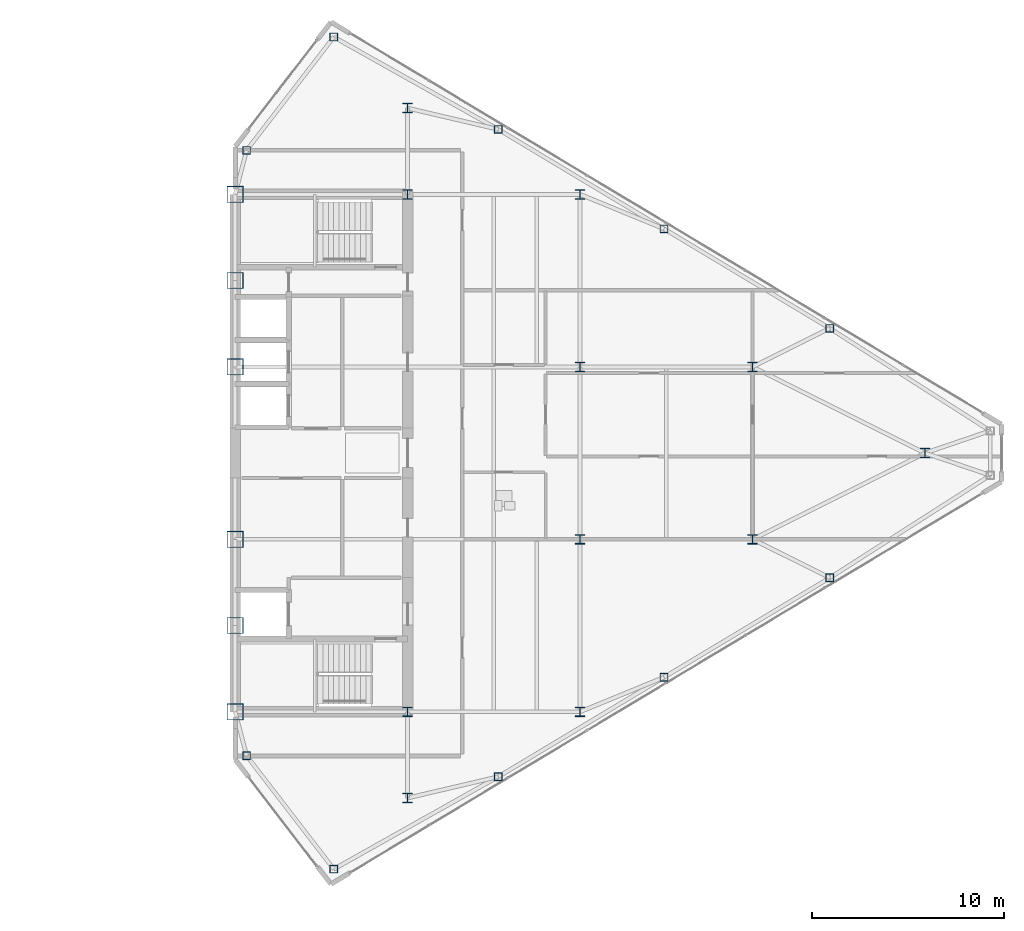
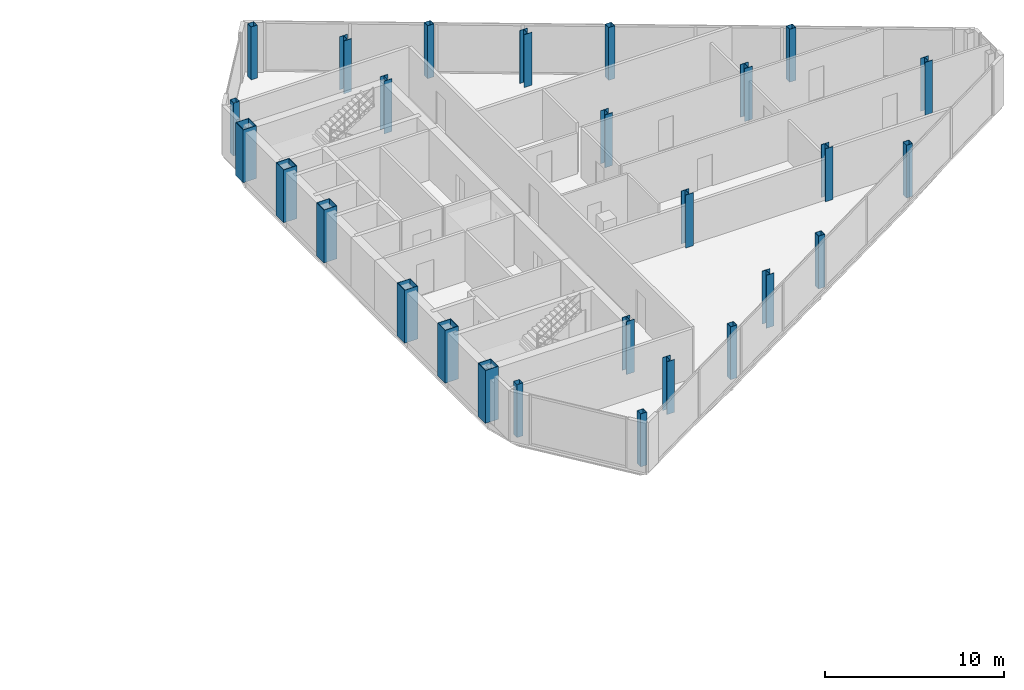
# One storey, part 3 of 25: 27 columns.
"""IFC4 building model written with IfcOpenShell, lengths in metres."""

import ifcopenshell
import ifcopenshell.guid

model = None  # the IFC model being written
_history = None  # IfcOwnerHistory: only IFC2X3 demands one
_inside = {}  # id of a spatial element -> (the spatial element, [elements in it])
_under = {}  # id of a project, library or spatial element -> (it, [spatial elements below it])
_declared = {}  # id of a project -> (the project, [libraries it declares])
_typed = {}  # id of a type object -> (the type object, [elements of that type])
_made_of = {}  # id of a material, layer set ... -> (it, [elements and type objects made of it])


def new_model(schema):
    """Start an empty IFC model of exactly this schema.

    Asked for "IFC4X3", IfcOpenShell would pick the latest addendum, in which some entities
    have other attributes; the version numbers below select the first issue.
    IFC2X3 requires an IfcOwnerHistory on every rooted entity: one is made here for all.
    """
    global model, _history
    if schema == "IFC4X3":
        model = ifcopenshell.file(schema_version=(4, 3, 0, 0))
    else:
        model = ifcopenshell.file(schema=schema)
    _inside.clear()
    _under.clear()
    _declared.clear()
    _typed.clear()
    _made_of.clear()
    _history = None
    if model.schema == "IFC2X3":
        org = make("IfcOrganization", Name="unknown")
        user = make(
            "IfcPersonAndOrganization",
            ThePerson=make("IfcPerson", FamilyName="unknown"),
            TheOrganization=org,
        )
        app = make(
            "IfcApplication",
            ApplicationDeveloper=org,
            Version="unknown",
            ApplicationFullName="unknown",
            ApplicationIdentifier="unknown",
        )
        _history = make(
            "IfcOwnerHistory",
            OwningUser=user,
            OwningApplication=app,
            ChangeAction="ADDED",
            CreationDate=0,
        )
    return model


def make(cls, **values):
    """One entity of the class cls with the attributes given. An attribute that is None is left unset."""
    return model.create_entity(
        cls, **{name: value for name, value in values.items() if value is not None}
    )


def rooted(cls, **values):
    """An entity with a GlobalId (a new one), such as an element, a storey or a relation."""
    return make(cls, GlobalId=ifcopenshell.guid.new(), OwnerHistory=_history, **values)


def si_unit(unit_type, name, prefix=None):
    """IfcSIUnit, for example si_unit("LENGTHUNIT", "METRE", prefix="MILLI")."""
    return make("IfcSIUnit", UnitType=unit_type, Prefix=prefix, Name=name)


def assignment(units):
    """IfcUnitAssignment: the units of a project."""
    return None if units is None else make("IfcUnitAssignment", Units=units)


def point(xyz):
    """IfcCartesianPoint."""
    return None if xyz is None else make("IfcCartesianPoint", Coordinates=xyz)


def direction(xyz):
    """IfcDirection."""
    return None if xyz is None else make("IfcDirection", DirectionRatios=xyz)


def frame(location, z_axis=None, x_axis=None):
    """IfcAxis2Placement3D, a coordinate frame: its origin and axes. An axis left out is left unset."""
    return make(
        "IfcAxis2Placement3D",
        Location=point(location),
        Axis=direction(z_axis),
        RefDirection=direction(x_axis),
    )


def frame_2d(location, x_axis=None):
    """IfcAxis2Placement2D, a coordinate frame in the plane: its origin and x axis."""
    return make(
        "IfcAxis2Placement2D", Location=point(location), RefDirection=direction(x_axis)
    )


def origin():
    """The frame at (0, 0, 0) with its axes left unset."""
    return frame((0.0, 0.0, 0.0))


def origin_2d():
    """The frame at (0, 0) in the plane with its x axis left unset."""
    return frame_2d((0.0, 0.0))


def place(relative_to, where):
    """IfcLocalPlacement: puts the frame where relative to a parent placement (None: the world)."""
    return make(
        "IfcLocalPlacement", PlacementRelTo=relative_to, RelativePlacement=where
    )


def context(
    kind, dimensions, precision=None, world=None, true_north=None, identifier=None
):
    """IfcGeometricRepresentationContext, for example the 3D "Model" context."""
    return make(
        "IfcGeometricRepresentationContext",
        ContextIdentifier=identifier,
        ContextType=kind,
        CoordinateSpaceDimension=dimensions,
        Precision=precision,
        WorldCoordinateSystem=world,
        TrueNorth=true_north,
    )


def subcontext(parent, identifier, kind, view, scale=None):
    """IfcGeometricRepresentationSubContext, for example "Body" below "Model"."""
    return make(
        "IfcGeometricRepresentationSubContext",
        ContextIdentifier=identifier,
        ContextType=kind,
        ParentContext=parent,
        TargetScale=scale,
        TargetView=view,
    )


def project(units=None, contexts=None):
    """IfcProject with its units and contexts."""
    return rooted(
        "IfcProject",
        Name="project",
        RepresentationContexts=contexts,
        UnitsInContext=assignment(units),
    )


def spatial(cls, under=None, at=None, **own):
    """A site, building, storey or space (cls), placed at a placement, below another one or the project."""
    s = rooted(cls, ObjectPlacement=at, **own)
    if under is not None:
        _under.setdefault(under.id(), (under, []))[1].append(s)
    return s


def profile(cls, at=None, kind="AREA", **sizes):
    """A parametric profile (cls). Its sizes go by their IFC names, for example OverallWidth=200.0."""
    return make(cls, ProfileType=kind, Position=at, **sizes)


def hollow_rectangle(**sizes):
    """IfcRectangleHollowProfileDef."""
    return profile("IfcRectangleHollowProfileDef", **sizes)


def i_section(**sizes):
    """IfcIShapeProfileDef."""
    return profile("IfcIShapeProfileDef", **sizes)


def extrude(swept, where, along, depth):
    """IfcExtrudedAreaSolid: the profile swept, set in the frame where, extruded along a direction by depth."""
    return make(
        "IfcExtrudedAreaSolid",
        SweptArea=swept,
        Position=where,
        ExtrudedDirection=direction(along),
        Depth=depth,
    )


def shape(context_of_items, identifier, shape_type, items):
    """IfcShapeRepresentation: the items that make up one representation, for example the "Body"."""
    return make(
        "IfcShapeRepresentation",
        ContextOfItems=context_of_items,
        RepresentationIdentifier=identifier,
        RepresentationType=shape_type,
        Items=items,
    )


def source(mapping_origin, context_of_items, identifier, shape_type, items):
    """IfcRepresentationMap: a shape defined once, which mapped items show again and again."""
    return make(
        "IfcRepresentationMap",
        MappingOrigin=mapping_origin,
        MappedRepresentation=shape(context_of_items, identifier, shape_type, items),
    )


def transform(
    local_origin,
    x_axis=None,
    y_axis=None,
    z_axis=None,
    scale=None,
    scale2=None,
    scale3=None,
    uniform=True,
):
    """IfcCartesianTransformationOperator3D, or its non-uniform kind. x_axis, y_axis, z_axis: its Axis1, 2, 3."""
    if uniform:
        return make(
            "IfcCartesianTransformationOperator3D",
            Axis1=direction(x_axis),
            Axis2=direction(y_axis),
            LocalOrigin=point(local_origin),
            Scale=scale,
            Axis3=direction(z_axis),
        )
    return make(
        "IfcCartesianTransformationOperator3DnonUniform",
        Axis1=direction(x_axis),
        Axis2=direction(y_axis),
        LocalOrigin=point(local_origin),
        Scale=scale,
        Axis3=direction(z_axis),
        Scale2=scale2,
        Scale3=scale3,
    )


def mapped(mapping_source, mapping_target):
    """IfcMappedItem: shows the shape of a source again, moved by a transform."""
    return make(
        "IfcMappedItem", MappingSource=mapping_source, MappingTarget=mapping_target
    )


def material(Name=None, Category=None):
    """IfcMaterial."""
    return make("IfcMaterial", Name=Name, Category=Category)


def material_profile(
    of_material, cross_section, Name=None, Category=None, Priority=None
):
    """IfcMaterialProfile: a cross section and its material."""
    return make(
        "IfcMaterialProfile",
        Name=Name,
        Material=of_material,
        Profile=cross_section,
        Priority=Priority,
        Category=Category,
    )


def profile_set(profiles, Name=None, composite=None):
    """IfcMaterialProfileSet."""
    return make(
        "IfcMaterialProfileSet",
        Name=Name,
        MaterialProfiles=profiles,
        CompositeProfile=composite,
    )


def made_of(thing, what):
    """Note that an element or type object is made of a material, layer set ...; save() writes the relation."""
    if what is not None:
        _made_of.setdefault(what.id(), (what, []))[1].append(thing)
    return thing


def type_object(cls, material=None, **own):
    """A type object (cls), such as IfcWallType, which elements share."""
    return made_of(rooted(cls, **own), material)


def type_shapes(of_type, sources):
    """Give a type object the sources (RepresentationMaps) that its elements show as mapped items."""
    of_type.RepresentationMaps = sources


def element(
    cls,
    number,
    at=None,
    inside=None,
    cuts=None,
    type_object=None,
    material=None,
    context=None,
    identifier="Body",
    shape_type=None,
    held_by="IfcProductDefinitionShape",
    body=None,
    shapes=None,
    **own,
):
    """One element of the class cls, such as IfcWall. Its Tag is "e" and its number.

    at: its placement. inside: the storey or other place that contains it. cuts: it is an
    opening in that element (IfcRelVoidsElement). A single representation is given by context,
    identifier, shape_type and body (its items); several are given by shapes. held_by: the class
    of the entity that holds the representations. save() writes the other relations.
    """
    e = rooted(cls, Tag="e%d" % number, ObjectPlacement=at, **own)
    if body is not None:
        shapes = [shape(context, identifier, shape_type, body)]
    if shapes is not None:
        e.Representation = make(held_by, Representations=shapes)
    if inside is not None:
        _inside.setdefault(inside.id(), (inside, []))[1].append(e)
    if cuts is not None:
        rooted(
            "IfcRelVoidsElement", RelatingBuildingElement=cuts, RelatedOpeningElement=e
        )
    if type_object is not None:
        _typed.setdefault(type_object.id(), (type_object, []))[1].append(e)
    return made_of(e, material)


def aggregate(whole, parts):
    """IfcRelAggregates: a whole, such as a stair, and the parts it consists of."""
    return rooted("IfcRelAggregates", RelatingObject=whole, RelatedObjects=parts)


def save(model, path):
    """Write the relations noted so far, then the file.

    IfcRelAggregates (storeys below a building ...), IfcRelContainedInSpatialStructure (elements
    in a storey), IfcRelDefinesByType, IfcRelAssociatesMaterial and IfcRelDeclares: one each for
    every whole, place, type object, material and project.
    """
    for whole, parts in _under.values():
        aggregate(whole, parts)
    for where, things in _inside.values():
        rooted(
            "IfcRelContainedInSpatialStructure",
            RelatedElements=things,
            RelatingStructure=where,
        )
    for kind, things in _typed.values():
        rooted("IfcRelDefinesByType", RelatedObjects=things, RelatingType=kind)
    for what, things in _made_of.values():
        rooted("IfcRelAssociatesMaterial", RelatedObjects=things, RelatingMaterial=what)
    for by, libraries in _declared.values():
        rooted("IfcRelDeclares", RelatingContext=by, RelatedDefinitions=libraries)
    model.write(path)


model = new_model("IFC4")

# Units and contexts
model_context = context("Model", 3, precision=1e-05, world=origin(), true_north=direction((0.0, 1.0)))
body_context = subcontext(model_context, "Body", "Model", "MODEL_VIEW")
ifc_project = project(units=[si_unit("LENGTHUNIT", "METRE"), si_unit("AREAUNIT", "SQUARE_METRE"), si_unit("VOLUMEUNIT", "CUBIC_METRE"), si_unit("PLANEANGLEUNIT", "RADIAN"), si_unit("MASSUNIT", "GRAM", prefix="KILO")], contexts=[model_context])

# Site, building, storey
site_placement = place(None, origin())
site = spatial("IfcSite", under=ifc_project, at=site_placement, CompositionType="ELEMENT")
building_placement = place(site_placement, origin())
building = spatial("IfcBuilding", under=site, at=building_placement, Name="Seokmaru Belvedere", CompositionType="ELEMENT")
storey_placement = place(building_placement, frame((0.0, 0.0, 203.10009765625)))
storey = spatial("IfcBuildingStorey", under=building, at=storey_placement, Name="L54", CompositionType="ELEMENT", Elevation=203.10009765625)

# Columns
ifc_material_1 = material(Name="Steel HSA650 (650 MPa)", Category="steel")
ifc_material_profile_1 = material_profile(ifc_material_1, hollow_rectangle(XDim=0.85009765625, YDim=0.85009765625, WallThickness=0.035888671875, at=origin_2d()), Name="BOX-850x850x36")
ifc_profile_set_1 = profile_set([ifc_material_profile_1], Name="Steel HSA650 (650 MPa)")
column_type_1 = type_object("IfcColumnType", Name="Portal Spine Column BOX-850", PredefinedType="COLUMN", material=ifc_profile_set_1)
shared_shape_1 = source(origin(), body_context, "Body", "SweptSolid", [
    extrude(hollow_rectangle(XDim=0.85009765625, YDim=0.85009765625, WallThickness=0.035888671875, at=origin_2d()), origin(), (0.0, 0.0, 1.0), 3.599853515625),
])
type_shapes(column_type_1, [shared_shape_1])
for number, where, z_axis, x_axis, name in (
    (1, (27.5, -13.5, 0.0), (0.0, 0.0, 1.0), (1.0, 0.0, 0.0), "L54 Column ES1"),
    (2, (27.5, -9.0, 0.0), (0.0, 0.0, 1.0), (1.0, 0.0, 0.0), "L54 Column ES2"),
    (3, (27.5, -4.5, 0.0), (0.0, 0.0, 1.0), (1.0, 0.0, 0.0), "L54 Column ES3"),
    (4, (27.5, 4.5, 0.0), (0.0, 0.0, 1.0), (1.0, 0.0, 0.0), "L54 Column ES4"),
    (5, (27.5, 9.0, 0.0), (0.0, 0.0, 1.0), (1.0, 0.0, 0.0), "L54 Column ES5"),
    (6, (27.5, 13.5, 0.0), (0.0, 0.0, 1.0), (1.0, 0.0, 0.0), "L54 Column ES6"),
):
    element("IfcColumn", number, at=place(storey_placement, frame(where, z_axis=z_axis, x_axis=x_axis)), inside=storey, type_object=column_type_1, Name=name, PredefinedType="COLUMN", context=body_context, shape_type="MappedRepresentation", body=[
        mapped(shared_shape_1, transform((0.0, 0.0, 0.0), scale=1.0)),
    ])
ifc_material_2 = material(Name="Steel SM355 (355 MPa)", Category="steel")
ifc_material_profile_2 = material_profile(ifc_material_2, i_section(OverallWidth=0.5, OverallDepth=0.5, WebThickness=0.02001953125, FlangeThickness=0.031982421875, at=origin_2d()), Name="H-500x500x20x32")
ifc_profile_set_2 = profile_set([ifc_material_profile_2], Name="Steel SM355 (355 MPa)")
column_type_2 = type_object("IfcColumnType", Name="High-Rise Interior Column H-500", PredefinedType="COLUMN", material=ifc_profile_set_2)
shared_shape_2 = source(origin(), body_context, "Body", "SweptSolid", [
    extrude(i_section(OverallWidth=0.5, OverallDepth=0.5, WebThickness=0.02001953125, FlangeThickness=0.031982421875, at=origin_2d()), origin(), (0.0, 0.0, 1.0), 3.599853515625),
])
type_shapes(column_type_2, [shared_shape_2])
for number, where, z_axis, x_axis, name in (
    (7, (36.5, -18.0, 0.0), (0.0, 0.0, 1.0), (1.0, 0.0, 0.0), "L54 Column EC1"),
    (8, (36.5, -13.5, 0.0), (0.0, 0.0, 1.0), (1.0, 0.0, 0.0), "L54 Column EC2"),
    (9, (36.5, 13.5, 0.0), (0.0, 0.0, 1.0), (1.0, 0.0, 0.0), "L54 Column EC3"),
    (10, (36.5, 18.0, 0.0), (0.0, 0.0, 1.0), (1.0, 0.0, 0.0), "L54 Column EC4"),
    (11, (45.5, -13.5, 0.0), (0.0, 0.0, 1.0), (1.0, 0.0, 0.0), "L54 Column EG5_1"),
    (12, (45.5, -4.5, 0.0), (0.0, 0.0, 1.0), (1.0, 0.0, 0.0), "L54 Column EG5_2"),
    (13, (45.5, 4.5, 0.0), (0.0, 0.0, 1.0), (1.0, 0.0, 0.0), "L54 Column EG5_3"),
    (14, (45.5, 13.5, 0.0), (0.0, 0.0, 1.0), (1.0, 0.0, 0.0), "L54 Column EG5_4"),
    (15, (54.5, -4.5, 0.0), (0.0, 0.0, 1.0), (1.0, 0.0, 0.0), "L54 Column EG4P_1"),
    (16, (54.5, 4.5, 0.0), (0.0, 0.0, 1.0), (1.0, 0.0, 0.0), "L54 Column EG4P_2"),
    (17, (63.5, 0.0, 0.0), (0.0, 0.0, 1.0), (1.0, 0.0, 0.0), "L54 Column EG3P_1"),
):
    element("IfcColumn", number, at=place(storey_placement, frame(where, z_axis=z_axis, x_axis=x_axis)), inside=storey, type_object=column_type_2, Name=name, PredefinedType="COLUMN", context=body_context, shape_type="MappedRepresentation", body=[
        mapped(shared_shape_2, transform((0.0, 0.0, 0.0), scale=1.0)),
    ])
ifc_material_profile_3 = material_profile(ifc_material_2, hollow_rectangle(XDim=0.39990234375, YDim=0.39990234375, WallThickness=0.01611328125, at=origin_2d()), Name="HSS-400x400x16")
ifc_profile_set_3 = profile_set([ifc_material_profile_3], Name="Steel SM355 (355 MPa)")
column_type_3 = type_object("IfcColumnType", Name="Perimeter Facet Column HSS-400", PredefinedType="COLUMN", material=ifc_profile_set_3)
shared_shape_3 = source(origin(), body_context, "Body", "SweptSolid", [
    extrude(hollow_rectangle(XDim=0.39990234375, YDim=0.39990234375, WallThickness=0.01611328125, at=origin_2d()), origin(), (0.0, 0.0, 1.0), 3.599853515625),
])
type_shapes(column_type_3, [shared_shape_3])
for number, where, z_axis, x_axis, name in (
    (18, (32.649658203125, -21.71044921875, 0.0), (0.0, 0.0, 1.0), (1.0, 0.0, 0.0), "L54 Column EF1"),
    (19, (32.649658203125, 21.71044921875, 0.0), (0.0, 0.0, 1.0), (1.0, 0.0, 0.0), "L54 Column EF4"),
    (20, (28.10009765625, 15.7958984375, 0.0), (0.0, 0.0, 1.0), (1.0, 0.0, 0.0), "L54 Column EF5"),
    (21, (28.10009765625, -15.7958984375, 0.0), (0.0, 0.0, 1.0), (1.0, 0.0, 0.0), "L54 Column EF6"),
    (22, (41.229736328125, -16.888916015625, 0.0), (0.0, 0.0, 1.0), (1.0, 0.0, 0.0), "L54 Column EFLK_S1"),
    (23, (49.8798828125, -11.698974609375, 0.0), (0.0, 0.0, 1.0), (1.0, 0.0, 0.0), "L54 Column EFLK_S2"),
    (24, (58.530029296875, -6.5087890625, 0.0), (0.0, 0.0, 1.0), (1.0, 0.0, 0.0), "L54 Column EFLK_S3"),
    (25, (41.229736328125, 16.888916015625, 0.0), (0.0, 0.0, 1.0), (1.0, 0.0, 0.0), "L54 Column EFLK_N1"),
    (26, (49.8798828125, 11.698974609375, 0.0), (0.0, 0.0, 1.0), (1.0, 0.0, 0.0), "L54 Column EFLK_N2"),
    (27, (58.530029296875, 6.5087890625, 0.0), (0.0, 0.0, 1.0), (1.0, 0.0, 0.0), "L54 Column EFLK_N3"),
):
    element("IfcColumn", number, at=place(storey_placement, frame(where, z_axis=z_axis, x_axis=x_axis)), inside=storey, type_object=column_type_3, Name=name, PredefinedType="COLUMN", context=body_context, shape_type="MappedRepresentation", body=[
        mapped(shared_shape_3, transform((0.0, 0.0, 0.0), scale=1.0)),
    ])

save(model, "model.ifc")
